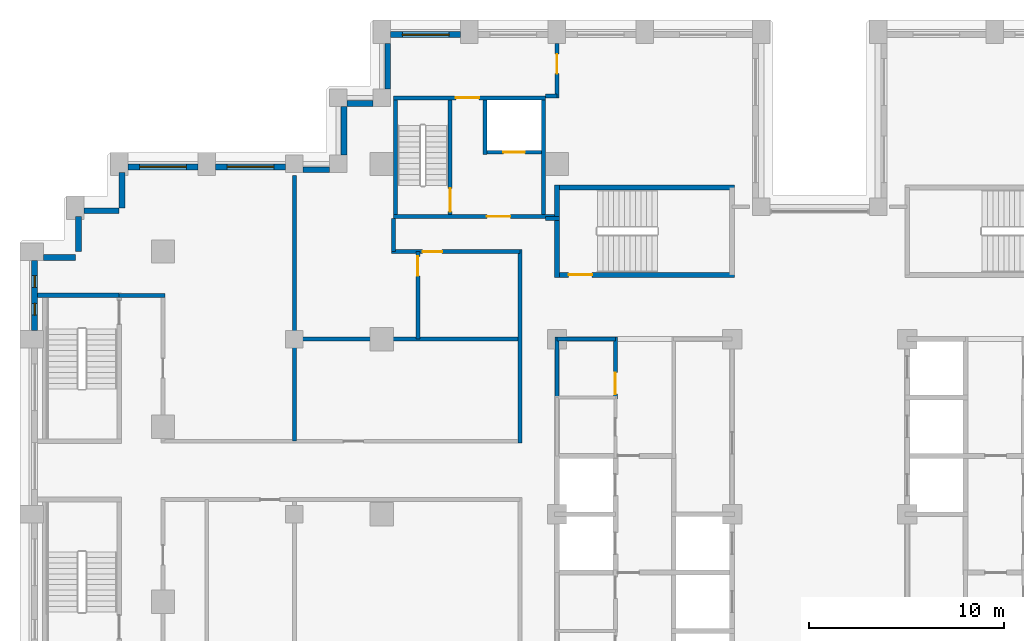
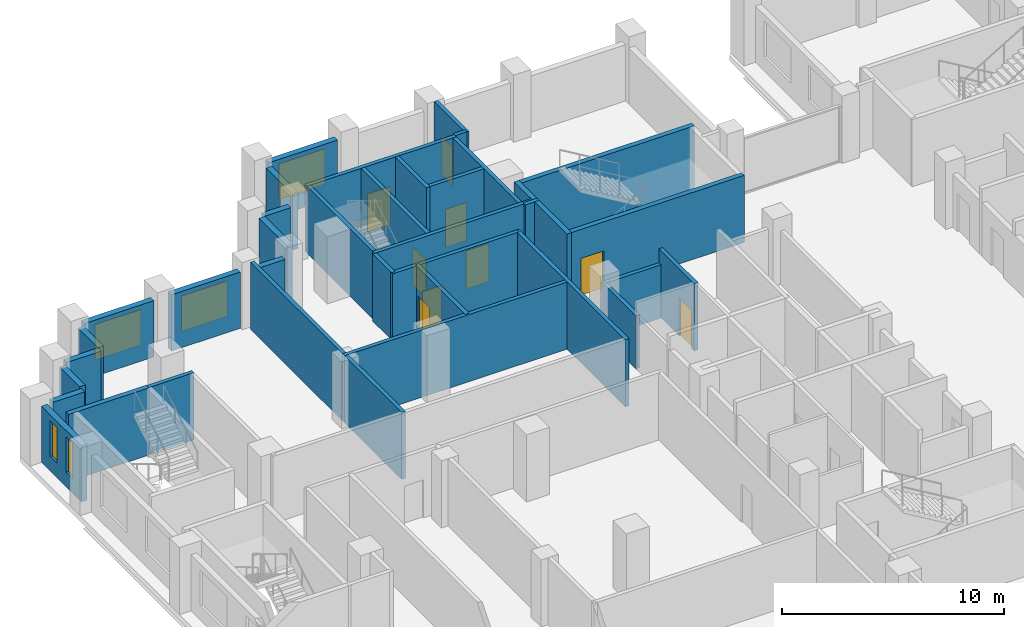
# One storey, part 9 of 15: 36 walls, 9 doors, 5 windows, 14 openings.
"""IFC4 building model written with IfcOpenShell, lengths in metres."""

from ifc_helpers import new_model, si_unit, direction, frame, frame_2d, origin, place, context, subcontext, project, spatial, rectangle, extrude, material, layer, layer_set, type_object, element, fill, save


model = new_model("IFC4")

# Units and contexts
model_context = context("Model", 3, precision=1e-05, world=origin(), true_north=direction((0.0, 1.0)))
body_context = subcontext(model_context, "Body", "Model", "MODEL_VIEW")
ifc_project = project(units=[si_unit("LENGTHUNIT", "METRE"), si_unit("AREAUNIT", "SQUARE_METRE"), si_unit("VOLUMEUNIT", "CUBIC_METRE"), si_unit("PLANEANGLEUNIT", "RADIAN"), si_unit("MASSUNIT", "GRAM", prefix="KILO")], contexts=[model_context])

# Site, building, storey
site_placement = place(None, origin())
site = spatial("IfcSite", under=ifc_project, at=site_placement, CompositionType="ELEMENT")
building_placement = place(site_placement, origin())
building = spatial("IfcBuilding", under=site, at=building_placement, Name="Corbelhall Arena Tower", CompositionType="ELEMENT")
storey_placement = place(building_placement, frame((0.0, 0.0, 84.0)))
storey = spatial("IfcBuildingStorey", under=building, at=storey_placement, Name="L13", CompositionType="ELEMENT", Elevation=84.0)

# Walls
ifc_material_1 = material(Name="Precast concrete C40/50 with granite facing", Category="masonry")
ifc_layer_1 = layer(ifc_material_1, 0.300048828125)
ifc_layer_set_1 = layer_set([ifc_layer_1], Name="EV-IW1 Infill panel 300")
wall_type_1 = type_object("IfcWallType", Name="EV-IW1 Infill panel 300", PredefinedType="SOLIDWALL", material=ifc_layer_set_1)
for number, where, z_axis, x_axis, name in (
    (1, (-35.85009765625, 17.550048828125, 0.0), (0.0, 0.0, 1.0), (0.0, -1.0, 0.0), "Infill panel IW1"),
    (2, (-37.800048828125, 15.60009765625, 0.0), (0.0, 0.0, 1.0), (1.0, 0.0, 0.0), "Infill panel IW1"),
    (3, (-38.10009765625, 15.300048828125, 0.0), (0.0, 0.0, 1.0), (0.0, -1.0, 0.0), "Infill panel IW1"),
):
    element("IfcWall", number, at=place(storey_placement, frame(where, z_axis=z_axis, x_axis=x_axis)), inside=storey, type_object=wall_type_1, Name=name, PredefinedType="SOLIDWALL", context=body_context, shape_type="SweptSolid", body=[
        extrude(rectangle(XDim=1.800048828125, YDim=0.300048828125, at=frame_2d((0.89990234375, 0.0))), origin(), (0.0, 0.0, 1.0), 3.10009765625),
    ])
wall_1_placement = place(storey_placement, frame((-39.89990234375, 13.199951171875, 0.0), z_axis=(0.0, 0.0, 1.0), x_axis=(1.0, 0.0, 0.0)))
element("IfcWall", 4, at=wall_1_placement, inside=storey, type_object=wall_type_1, Name="Infill panel IW1", PredefinedType="SOLIDWALL", context=body_context, shape_type="SweptSolid", body=[
    extrude(rectangle(XDim=1.64990234375, YDim=0.300048828125, at=frame_2d((0.824951171875, 0.0))), origin(), (0.0, 0.0, 1.0), 3.10009765625),
])
wall_2_placement = place(storey_placement, frame((-22.199951171875, 24.199951171875, 0.0), z_axis=(0.0, 0.0, 1.0), x_axis=(0.0, -1.0, 0.0)))
element("IfcWall", 5, at=wall_2_placement, inside=storey, type_object=wall_type_1, Name="Infill panel IW1", PredefinedType="SOLIDWALL", context=body_context, shape_type="SweptSolid", body=[
    extrude(rectangle(XDim=2.349853515625, YDim=0.300048828125, at=frame_2d((1.1748046875, 0.0))), origin(), (0.0, 0.0, 1.0), 3.10009765625),
])
wall_3_placement = place(storey_placement, frame((-22.949951171875, 21.10009765625, 0.0), z_axis=(0.0, 0.0, 1.0), x_axis=(-1.0, 0.0, 0.0)))
element("IfcWall", 6, at=wall_3_placement, inside=storey, type_object=wall_type_1, Name="Infill panel IW1", PredefinedType="SOLIDWALL", context=body_context, shape_type="SweptSolid", body=[
    extrude(rectangle(XDim=1.35009765625, YDim=0.300048828125, at=frame_2d((0.675048828125, 0.0))), origin(), (0.0, 0.0, 1.0), 3.10009765625),
])
wall_4_placement = place(storey_placement, frame((-24.449951171875, 20.949951171875, 0.0), z_axis=(0.0, 0.0, 1.0), x_axis=(0.0, -1.0, 0.0)))
element("IfcWall", 7, at=wall_4_placement, inside=storey, type_object=wall_type_1, Name="Infill panel IW1", PredefinedType="SOLIDWALL", context=body_context, shape_type="SweptSolid", body=[
    extrude(rectangle(XDim=2.5, YDim=0.300048828125, at=frame_2d((1.25, 0.0))), origin(), (0.0, 0.0, 1.0), 3.10009765625),
])
wall_5_placement = place(storey_placement, frame((-25.199951171875, 17.699951171875, 0.0), z_axis=(0.0, 0.0, 1.0), x_axis=(-1.0, 0.0, 0.0)))
element("IfcWall", 8, at=wall_5_placement, inside=storey, type_object=wall_type_1, Name="Infill panel IW1", PredefinedType="SOLIDWALL", context=body_context, shape_type="SweptSolid", body=[
    extrude(rectangle(XDim=1.35009765625, YDim=0.300048828125, at=frame_2d((0.675048828125, 0.0))), origin(), (0.0, 0.0, 1.0), 3.10009765625),
])

# Wall, opening, window
wall_6_placement = place(storey_placement, frame((-27.449951171875, 17.85009765625, 0.0), z_axis=(0.0, 0.0, 1.0), x_axis=(-1.0, 0.0, 0.0)))
wall_6 = element("IfcWall", 9, at=wall_6_placement, inside=storey, type_object=wall_type_1, Name="Infill panel IW1", PredefinedType="SOLIDWALL", context=body_context, shape_type="SweptSolid", body=[
    extrude(rectangle(XDim=3.60009765625, YDim=0.300048828125, at=frame_2d((1.800048828125, 0.0))), origin(), (0.0, 0.0, 1.0), 3.10009765625),
])
opening_1_placement = place(wall_6_placement, frame((0.60009765625, 0.0, 0.800048828125)))
opening_1 = element("IfcOpeningElement", 10, at=opening_1_placement, cuts=wall_6, Name="Opening WN1", PredefinedType="OPENING", context=body_context, shape_type="SweptSolid", body=[
    extrude(rectangle(XDim=2.39990234375, YDim=1.949951171875, at=frame_2d((1.199951171875, 0.97509765625))), frame((0.0, 0.14990234375, 0.0), z_axis=(0.0, -1.0, 0.0), x_axis=(1.0, 0.0, 0.0)), (0.0, 0.0, 1.0), 0.300048828125),
])
ifc_material_2 = material(Name="Aluminium black anodised", Category="aluminium")
window_type_1 = type_object("IfcWindowType", Name="EV-WN1 Office window", PartitioningType="SINGLE_PANEL", PredefinedType="WINDOW", material=ifc_material_2)
window_1_placement = place(opening_1_placement, origin())
window_1 = element("IfcWindow", 11, at=window_1_placement, inside=storey, type_object=window_type_1, Name="Window WN1", OverallHeight=1.949951171875, OverallWidth=2.39990234375, PartitioningType="SINGLE_PANEL", PredefinedType="WINDOW", context=body_context, shape_type="SweptSolid", body=[
    extrude(rectangle(XDim=2.39990234375, YDim=1.949951171875, at=frame_2d((1.199951171875, 0.97509765625))), frame((0.0, 0.030029296875, 0.0), z_axis=(0.0, -1.0, 0.0), x_axis=(1.0, 0.0, 0.0)), (0.0, 0.0, 1.0), 0.06005859375),
])
fill(opening_1, window_1)

wall_7_placement = place(storey_placement, frame((-31.949951171875, 17.85009765625, 0.0), z_axis=(0.0, 0.0, 1.0), x_axis=(-1.0, 0.0, 0.0)))
wall_7 = element("IfcWall", 12, at=wall_7_placement, inside=storey, type_object=wall_type_1, Name="Infill panel IW1", PredefinedType="SOLIDWALL", context=body_context, shape_type="SweptSolid", body=[
    extrude(rectangle(XDim=3.60009765625, YDim=0.300048828125, at=frame_2d((1.800048828125, 0.0))), origin(), (0.0, 0.0, 1.0), 3.10009765625),
])
opening_2_placement = place(wall_7_placement, frame((0.60009765625, 0.0, 0.800048828125)))
opening_2 = element("IfcOpeningElement", 13, at=opening_2_placement, cuts=wall_7, Name="Opening WN1", PredefinedType="OPENING", context=body_context, shape_type="SweptSolid", body=[
    extrude(rectangle(XDim=2.39990234375, YDim=1.949951171875, at=frame_2d((1.199951171875, 0.97509765625))), frame((0.0, 0.14990234375, 0.0), z_axis=(0.0, -1.0, 0.0), x_axis=(1.0, 0.0, 0.0)), (0.0, 0.0, 1.0), 0.300048828125),
])
window_2_placement = place(opening_2_placement, origin())
window_2 = element("IfcWindow", 14, at=window_2_placement, inside=storey, type_object=window_type_1, Name="Window WN1", OverallHeight=1.949951171875, OverallWidth=2.39990234375, PartitioningType="SINGLE_PANEL", PredefinedType="WINDOW", context=body_context, shape_type="SweptSolid", body=[
    extrude(rectangle(XDim=2.39990234375, YDim=1.949951171875, at=frame_2d((1.199951171875, 0.97509765625))), frame((0.0, 0.030029296875, 0.0), z_axis=(0.0, -1.0, 0.0), x_axis=(1.0, 0.0, 0.0)), (0.0, 0.0, 1.0), 0.06005859375),
])
fill(opening_2, window_2)

# Wall, openings, windows
wall_8_placement = place(storey_placement, frame((-40.35009765625, 13.050048828125, 0.0), z_axis=(0.0, 0.0, 1.0), x_axis=(0.0, -1.0, 0.0)))
wall_8 = element("IfcWall", 15, at=wall_8_placement, inside=storey, type_object=wall_type_1, Name="Infill panel IW1", PredefinedType="SOLIDWALL", context=body_context, shape_type="SweptSolid", body=[
    extrude(rectangle(XDim=3.60009765625, YDim=0.300048828125, at=frame_2d((1.800048828125, 0.0))), origin(), (0.0, 0.0, 1.0), 3.10009765625),
])
opening_3_placement = place(wall_8_placement, frame((0.78759765625, 0.0, 0.800048828125)))
opening_3 = element("IfcOpeningElement", 16, at=opening_3_placement, cuts=wall_8, Name="Opening WN5", PredefinedType="OPENING", context=body_context, shape_type="SweptSolid", body=[
    extrude(rectangle(XDim=0.60009765625, YDim=1.949951171875, at=frame_2d((0.300048828125, 0.97509765625))), frame((0.0, 0.14990234375, 0.0), z_axis=(0.0, -1.0, 0.0), x_axis=(1.0, 0.0, 0.0)), (0.0, 0.0, 1.0), 0.300048828125),
])
opening_4_placement = place(wall_8_placement, frame((2.21240234375, 0.0, 0.800048828125)))
opening_4 = element("IfcOpeningElement", 17, at=opening_4_placement, cuts=wall_8, Name="Opening WN5", PredefinedType="OPENING", context=body_context, shape_type="SweptSolid", body=[
    extrude(rectangle(XDim=0.60009765625, YDim=1.949951171875, at=frame_2d((0.300048828125, 0.97509765625))), frame((0.0, 0.14990234375, 0.0), z_axis=(0.0, -1.0, 0.0), x_axis=(1.0, 0.0, 0.0)), (0.0, 0.0, 1.0), 0.300048828125),
])
window_type_2 = type_object("IfcWindowType", Name="EV-WN5 Office window 600", PartitioningType="SINGLE_PANEL", PredefinedType="WINDOW", material=ifc_material_2)
window_3_placement = place(opening_3_placement, origin())
window_3 = element("IfcWindow", 18, at=window_3_placement, inside=storey, type_object=window_type_2, Name="Window WN5", OverallHeight=1.949951171875, OverallWidth=0.60009765625, PartitioningType="SINGLE_PANEL", PredefinedType="WINDOW", context=body_context, shape_type="SweptSolid", body=[
    extrude(rectangle(XDim=0.60009765625, YDim=1.949951171875, at=frame_2d((0.300048828125, 0.97509765625))), frame((0.0, 0.030029296875, 0.0), z_axis=(0.0, -1.0, 0.0), x_axis=(1.0, 0.0, 0.0)), (0.0, 0.0, 1.0), 0.06005859375),
])
fill(opening_3, window_3)
window_4_placement = place(opening_4_placement, origin())
window_4 = element("IfcWindow", 19, at=window_4_placement, inside=storey, type_object=window_type_2, Name="Window WN5", OverallHeight=1.949951171875, OverallWidth=0.60009765625, PartitioningType="SINGLE_PANEL", PredefinedType="WINDOW", context=body_context, shape_type="SweptSolid", body=[
    extrude(rectangle(XDim=0.60009765625, YDim=1.949951171875, at=frame_2d((0.300048828125, 0.97509765625))), frame((0.0, 0.030029296875, 0.0), z_axis=(0.0, -1.0, 0.0), x_axis=(1.0, 0.0, 0.0)), (0.0, 0.0, 1.0), 0.06005859375),
])
fill(opening_4, window_4)

# Wall, opening, window
wall_9_placement = place(storey_placement, frame((-18.449951171875, 24.64990234375, 0.0), z_axis=(0.0, 0.0, 1.0), x_axis=(-1.0, 0.0, 0.0)))
wall_9 = element("IfcWall", 20, at=wall_9_placement, inside=storey, type_object=wall_type_1, Name="Infill panel IW1", PredefinedType="SOLIDWALL", context=body_context, shape_type="SweptSolid", body=[
    extrude(rectangle(XDim=3.60009765625, YDim=0.300048828125, at=frame_2d((1.800048828125, 0.0))), origin(), (0.0, 0.0, 1.0), 3.10009765625),
])
opening_5_placement = place(wall_9_placement, frame((0.60009765625, 0.0, 0.800048828125)))
opening_5 = element("IfcOpeningElement", 21, at=opening_5_placement, cuts=wall_9, Name="Opening WN1", PredefinedType="OPENING", context=body_context, shape_type="SweptSolid", body=[
    extrude(rectangle(XDim=2.39990234375, YDim=1.949951171875, at=frame_2d((1.199951171875, 0.97509765625))), frame((0.0, 0.14990234375, 0.0), z_axis=(0.0, -1.0, 0.0), x_axis=(1.0, 0.0, 0.0)), (0.0, 0.0, 1.0), 0.300048828125),
])
window_5_placement = place(opening_5_placement, origin())
window_5 = element("IfcWindow", 22, at=window_5_placement, inside=storey, type_object=window_type_1, Name="Window WN1", OverallHeight=1.949951171875, OverallWidth=2.39990234375, PartitioningType="SINGLE_PANEL", PredefinedType="WINDOW", context=body_context, shape_type="SweptSolid", body=[
    extrude(rectangle(XDim=2.39990234375, YDim=1.949951171875, at=frame_2d((1.199951171875, 0.97509765625))), frame((0.0, 0.030029296875, 0.0), z_axis=(0.0, -1.0, 0.0), x_axis=(1.0, 0.0, 0.0)), (0.0, 0.0, 1.0), 0.06005859375),
])
fill(opening_5, window_5)

# Walls
ifc_material_3 = material(Name="Gypsum board on steel stud, acoustic", Category="steel")
ifc_layer_2 = layer(ifc_material_3, 0.199951171875)
ifc_layer_set_2 = layer_set([ifc_layer_2], Name="IN-W-DM200")
wall_type_2 = type_object("IfcWallType", Name="IN-W-DM200", PredefinedType="PARTITIONING", material=ifc_layer_set_2)
wall_10_placement = place(storey_placement, frame((-36.0, 11.25, 0.0), z_axis=(0.0, 0.0, 1.0), x_axis=(1.0, 0.0, 0.0)))
element("IfcWall", 23, at=wall_10_placement, inside=storey, type_object=wall_type_2, Name="Partition 001", PredefinedType="PARTITIONING", context=body_context, shape_type="SweptSolid", body=[
    extrude(rectangle(XDim=2.35009765625, YDim=0.199951171875, at=frame_2d((1.175048828125, 0.0))), origin(), (0.0, 0.0, 1.0), 3.699951171875),
])
wall_11_placement = place(storey_placement, frame((-27.10009765625, 9.0, 0.0), z_axis=(0.0, 0.0, 1.0), x_axis=(1.0, 0.0, 0.0)))
element("IfcWall", 24, at=wall_11_placement, inside=storey, type_object=wall_type_2, Name="Partition 009", PredefinedType="PARTITIONING", context=body_context, shape_type="SweptSolid", body=[
    extrude(rectangle(XDim=11.7001953125, YDim=0.199951171875, at=frame_2d((5.85009765625, 0.0))), origin(), (0.0, 0.0, 1.0), 3.699951171875),
])
wall_12_placement = place(storey_placement, frame((-27.0, 3.75, 0.0), z_axis=(0.0, 0.0, 1.0), x_axis=(0.0, 1.0, 0.0)))
element("IfcWall", 25, at=wall_12_placement, inside=storey, type_object=wall_type_2, Name="Partition 011", PredefinedType="PARTITIONING", context=body_context, shape_type="SweptSolid", body=[
    extrude(rectangle(XDim=13.64990234375, YDim=0.199951171875, at=frame_2d((6.824951171875, 0.0))), origin(), (0.0, 0.0, 1.0), 3.699951171875),
])
wall_13_placement = place(storey_placement, frame((-21.89990234375, 13.5, 0.0), z_axis=(0.0, 0.0, 1.0), x_axis=(0.0, 1.0, 0.0)))
element("IfcWall", 26, at=wall_13_placement, inside=storey, type_object=wall_type_2, Name="Partition 013", PredefinedType="PARTITIONING", context=body_context, shape_type="SweptSolid", body=[
    extrude(rectangle(XDim=1.699951171875, YDim=0.199951171875, at=frame_2d((0.85009765625, 0.0))), origin(), (0.0, 0.0, 1.0), 3.699951171875),
])

# Wall, opening, door
wall_14_placement = place(storey_placement, frame((-20.64990234375, 9.0, 0.0), z_axis=(0.0, 0.0, 1.0), x_axis=(0.0, 1.0, 0.0)))
wall_14 = element("IfcWall", 27, at=wall_14_placement, inside=storey, type_object=wall_type_2, Name="Partition 014", PredefinedType="PARTITIONING", context=body_context, shape_type="SweptSolid", body=[
    extrude(rectangle(XDim=4.5, YDim=0.199951171875, at=frame_2d((2.25, 0.0))), origin(), (0.0, 0.0, 1.0), 3.699951171875),
])
opening_6_placement = place(wall_14_placement, frame((3.25, 0.0, 0.0)))
opening_6 = element("IfcOpeningElement", 28, at=opening_6_placement, cuts=wall_14, Name="Opening 02028", PredefinedType="OPENING", context=body_context, shape_type="SweptSolid", body=[
    extrude(rectangle(XDim=1.0, YDim=2.10009765625, at=frame_2d((0.5, 1.050048828125))), frame((0.0, 0.10009765625, 0.0), z_axis=(0.0, -1.0, 0.0), x_axis=(1.0, 0.0, 0.0)), (0.0, 0.0, 1.0), 0.199951171875),
])
ifc_material_4 = material(Name="Steel door set", Category="steel")
door_type_1 = type_object("IfcDoorType", Name="IN-D-SW100", OperationType="NOTDEFINED", PredefinedType="DOOR", material=ifc_material_4)
door_1_placement = place(opening_6_placement, origin())
door_1 = element("IfcDoor", 29, at=door_1_placement, inside=storey, type_object=door_type_1, Name="Door 028", OperationType="SINGLE_SWING_LEFT", OverallHeight=2.10009765625, OverallWidth=1.0, PredefinedType="DOOR", context=body_context, shape_type="SweptSolid", body=[
    extrude(rectangle(XDim=1.0, YDim=2.10009765625, at=frame_2d((0.5, 1.050048828125))), frame((0.0, 0.02490234375, 0.0), z_axis=(0.0, -1.0, 0.0), x_axis=(1.0, 0.0, 0.0)), (0.0, 0.0, 1.0), 0.050048828125),
])
fill(opening_6, door_1)

wall_15_placement = place(storey_placement, frame((-15.39990234375, 13.5, 0.0), z_axis=(0.0, 0.0, 1.0), x_axis=(-1.0, 0.0, 0.0)))
wall_15 = element("IfcWall", 30, at=wall_15_placement, inside=storey, type_object=wall_type_2, Name="Partition 015", PredefinedType="PARTITIONING", context=body_context, shape_type="SweptSolid", body=[
    extrude(rectangle(XDim=6.60009765625, YDim=0.199951171875, at=frame_2d((3.300048828125, 0.0))), origin(), (0.0, 0.0, 1.0), 3.699951171875),
])
opening_7_placement = place(wall_15_placement, frame((4.0, 0.0, 0.0)))
opening_7 = element("IfcOpeningElement", 31, at=opening_7_placement, cuts=wall_15, Name="Opening 02027", PredefinedType="OPENING", context=body_context, shape_type="SweptSolid", body=[
    extrude(rectangle(XDim=1.0, YDim=2.10009765625, at=frame_2d((0.5, 1.050048828125))), frame((0.0, 0.10009765625, 0.0), z_axis=(0.0, -1.0, 0.0), x_axis=(1.0, 0.0, 0.0)), (0.0, 0.0, 1.0), 0.199951171875),
])
door_2_placement = place(opening_7_placement, origin())
door_2 = element("IfcDoor", 32, at=door_2_placement, inside=storey, type_object=door_type_1, Name="Door 027", OperationType="SINGLE_SWING_RIGHT", OverallHeight=2.10009765625, OverallWidth=1.0, PredefinedType="DOOR", context=body_context, shape_type="SweptSolid", body=[
    extrude(rectangle(XDim=1.0, YDim=2.10009765625, at=frame_2d((0.5, 1.050048828125))), frame((0.0, 0.02490234375, 0.0), z_axis=(0.0, -1.0, 0.0), x_axis=(1.0, 0.0, 0.0)), (0.0, 0.0, 1.0), 0.050048828125),
])
fill(opening_7, door_2)

# Walls
wall_16_placement = place(storey_placement, frame((-15.39990234375, 3.64990234375, 0.0), z_axis=(0.0, 0.0, 1.0), x_axis=(0.0, 1.0, 0.0)))
element("IfcWall", 33, at=wall_16_placement, inside=storey, type_object=wall_type_2, Name="Partition 017", PredefinedType="PARTITIONING", context=body_context, shape_type="SweptSolid", body=[
    extrude(rectangle(XDim=9.9501953125, YDim=0.199951171875, at=frame_2d((4.97509765625, 0.0))), origin(), (0.0, 0.0, 1.0), 3.699951171875),
])
wall_17_placement = place(storey_placement, frame((-14.10009765625, 15.199951171875, 0.0), z_axis=(0.0, 0.0, 1.0), x_axis=(1.0, 0.0, 0.0)))
element("IfcWall", 34, at=wall_17_placement, inside=storey, type_object=wall_type_2, Name="Partition 018", PredefinedType="PARTITIONING", context=body_context, shape_type="SweptSolid", body=[
    extrude(rectangle(XDim=0.72509765625, YDim=0.199951171875, at=frame_2d((0.362548828125, 0.0))), origin(), (0.0, 0.0, 1.0), 3.699951171875),
])
wall_18_placement = place(storey_placement, frame((-13.5, 21.5, 0.0), z_axis=(0.0, 0.0, 1.0), x_axis=(-1.0, 0.0, 0.0)))
element("IfcWall", 35, at=wall_18_placement, inside=storey, type_object=wall_type_2, Name="Partition 020", PredefinedType="PARTITIONING", context=body_context, shape_type="SweptSolid", body=[
    extrude(rectangle(XDim=0.60009765625, YDim=0.199951171875, at=frame_2d((0.300048828125, 0.0))), origin(), (0.0, 0.0, 1.0), 3.699951171875),
])

# Wall, opening, door
wall_19_placement = place(storey_placement, frame((-13.5, 24.199951171875, 0.0), z_axis=(0.0, 0.0, 1.0), x_axis=(0.0, -1.0, 0.0)))
wall_19 = element("IfcWall", 36, at=wall_19_placement, inside=storey, type_object=wall_type_2, Name="Partition 021", PredefinedType="PARTITIONING", context=body_context, shape_type="SweptSolid", body=[
    extrude(rectangle(XDim=2.800048828125, YDim=0.199951171875, at=frame_2d((1.39990234375, 0.0))), origin(), (0.0, 0.0, 1.0), 3.699951171875),
])
opening_8_placement = place(wall_19_placement, frame((0.550048828125, 0.0, 0.0)))
opening_8 = element("IfcOpeningElement", 37, at=opening_8_placement, cuts=wall_19, Name="Opening 02022", PredefinedType="OPENING", context=body_context, shape_type="SweptSolid", body=[
    extrude(rectangle(XDim=1.0, YDim=2.10009765625, at=frame_2d((0.5, 1.050048828125))), frame((0.0, 0.10009765625, 0.0), z_axis=(0.0, -1.0, 0.0), x_axis=(1.0, 0.0, 0.0)), (0.0, 0.0, 1.0), 0.199951171875),
])
door_3_placement = place(opening_8_placement, origin())
door_3 = element("IfcDoor", 38, at=door_3_placement, inside=storey, type_object=door_type_1, Name="Door 022", OperationType="SINGLE_SWING_LEFT", OverallHeight=2.10009765625, OverallWidth=1.0, PredefinedType="DOOR", context=body_context, shape_type="SweptSolid", body=[
    extrude(rectangle(XDim=1.0, YDim=2.10009765625, at=frame_2d((0.5, 1.050048828125))), frame((0.0, 0.02490234375, 0.0), z_axis=(0.0, -1.0, 0.0), x_axis=(1.0, 0.0, 0.0)), (0.0, 0.0, 1.0), 0.050048828125),
])
fill(opening_8, door_3)

ifc_material_5 = material(Name="Concrete C40/50", Category="concrete")
ifc_layer_3 = layer(ifc_material_5, 0.199951171875)
ifc_layer_set_3 = layer_set([ifc_layer_3], Name="IN-W-EAR200")
wall_type_3 = type_object("IfcWallType", Name="IN-W-EAR200", PredefinedType="SOLIDWALL", material=ifc_layer_set_3)
wall_20_placement = place(storey_placement, frame((-21.89990234375, 15.300048828125, 0.0), z_axis=(0.0, 0.0, 1.0), x_axis=(1.0, 0.0, 0.0)))
wall_20 = element("IfcWall", 39, at=wall_20_placement, inside=storey, type_object=wall_type_3, Name="Fire service turret wall south", PredefinedType="SOLIDWALL", context=body_context, shape_type="SweptSolid", body=[
    extrude(rectangle(XDim=8.27490234375, YDim=0.199951171875, at=frame_2d((4.137451171875, 0.0))), origin(), (0.0, 0.0, 1.0), 3.699951171875),
])
opening_9_placement = place(wall_20_placement, frame((4.800048828125, 0.0, 0.0)))
opening_9 = element("IfcOpeningElement", 40, at=opening_9_placement, cuts=wall_20, Name="Opening E022", PredefinedType="OPENING", context=body_context, shape_type="SweptSolid", body=[
    extrude(rectangle(XDim=1.199951171875, YDim=2.10009765625, at=frame_2d((0.60009765625, 1.050048828125))), frame((0.0, 0.10009765625, 0.0), z_axis=(0.0, -1.0, 0.0), x_axis=(1.0, 0.0, 0.0)), (0.0, 0.0, 1.0), 0.199951171875),
])
door_type_2 = type_object("IfcDoorType", Name="IN-D-ST120", OperationType="NOTDEFINED", PredefinedType="DOOR", material=ifc_material_4)
door_4_placement = place(opening_9_placement, origin())
door_4 = element("IfcDoor", 41, at=door_4_placement, inside=storey, type_object=door_type_2, Name="Door from fire service lift lobby to circulation", OperationType="SINGLE_SWING_RIGHT", OverallHeight=2.10009765625, OverallWidth=1.199951171875, PredefinedType="DOOR", context=body_context, shape_type="SweptSolid", body=[
    extrude(rectangle(XDim=1.199951171875, YDim=2.10009765625, at=frame_2d((0.60009765625, 1.050048828125))), frame((0.0, 0.02490234375, 0.0), z_axis=(0.0, -1.0, 0.0), x_axis=(1.0, 0.0, 0.0)), (0.0, 0.0, 1.0), 0.050048828125),
])
fill(opening_9, door_4)

wall_21_placement = place(storey_placement, frame((-21.89990234375, 21.39990234375, 0.0), z_axis=(0.0, 0.0, 1.0), x_axis=(1.0, 0.0, 0.0)))
wall_21 = element("IfcWall", 42, at=wall_21_placement, inside=storey, type_object=wall_type_3, Name="Fire service turret wall north", PredefinedType="SOLIDWALL", context=body_context, shape_type="SweptSolid", body=[
    extrude(rectangle(XDim=7.7998046875, YDim=0.199951171875, at=frame_2d((3.89990234375, 0.0))), origin(), (0.0, 0.0, 1.0), 3.699951171875),
])
opening_10_placement = place(wall_21_placement, frame((3.199951171875, 0.0, 0.0)))
opening_10 = element("IfcOpeningElement", 43, at=opening_10_placement, cuts=wall_21, Name="Opening E023", PredefinedType="OPENING", context=body_context, shape_type="SweptSolid", body=[
    extrude(rectangle(XDim=1.199951171875, YDim=2.10009765625, at=frame_2d((0.60009765625, 1.050048828125))), frame((0.0, 0.10009765625, 0.0), z_axis=(0.0, -1.0, 0.0), x_axis=(1.0, 0.0, 0.0)), (0.0, 0.0, 1.0), 0.199951171875),
])
door_5_placement = place(opening_10_placement, origin())
door_5 = element("IfcDoor", 44, at=door_5_placement, inside=storey, type_object=door_type_2, Name="Door from fire service lift lobby to the north gallery", OperationType="SINGLE_SWING_LEFT", OverallHeight=2.10009765625, OverallWidth=1.199951171875, PredefinedType="DOOR", context=body_context, shape_type="SweptSolid", body=[
    extrude(rectangle(XDim=1.199951171875, YDim=2.10009765625, at=frame_2d((0.60009765625, 1.050048828125))), frame((0.0, 0.02490234375, 0.0), z_axis=(0.0, -1.0, 0.0), x_axis=(1.0, 0.0, 0.0)), (0.0, 0.0, 1.0), 0.050048828125),
])
fill(opening_10, door_5)

# Walls
for number, where, z_axis, x_axis, name in (
    (45, (-21.800048828125, 15.39990234375, 0.0), (0.0, 0.0, 1.0), (0.0, 1.0, 0.0), "Fire service turret wall west"),
    (46, (-14.199951171875, 15.39990234375, 0.0), (0.0, 0.0, 1.0), (0.0, 1.0, 0.0), "Fire service turret wall east"),
):
    element("IfcWall", number, at=place(storey_placement, frame(where, z_axis=z_axis, x_axis=x_axis)), inside=storey, type_object=wall_type_3, Name=name, PredefinedType="SOLIDWALL", context=body_context, shape_type="SweptSolid", body=[
        extrude(rectangle(XDim=5.900146484375, YDim=0.199951171875, at=frame_2d((2.9501953125, 0.0))), origin(), (0.0, 0.0, 1.0), 3.699951171875),
    ])

# Wall, opening, door
wall_22_placement = place(storey_placement, frame((-18.989990234375, 15.39990234375, 0.0), z_axis=(0.0, 0.0, 1.0), x_axis=(0.0, 1.0, 0.0)))
wall_22 = element("IfcWall", 47, at=wall_22_placement, inside=storey, type_object=wall_type_3, Name="Fire service turret wall stair", PredefinedType="SOLIDWALL", context=body_context, shape_type="SweptSolid", body=[
    extrude(rectangle(XDim=5.900146484375, YDim=0.199951171875, at=frame_2d((2.9501953125, 0.0))), origin(), (0.0, 0.0, 1.0), 3.699951171875),
])
opening_11_placement = place(wall_22_placement, frame((0.14990234375, 0.0, 0.0)))
opening_11 = element("IfcOpeningElement", 48, at=opening_11_placement, cuts=wall_22, Name="Opening E021", PredefinedType="OPENING", context=body_context, shape_type="SweptSolid", body=[
    extrude(rectangle(XDim=1.199951171875, YDim=2.10009765625, at=frame_2d((0.60009765625, 1.050048828125))), frame((0.0, 0.10009765625, 0.0), z_axis=(0.0, -1.0, 0.0), x_axis=(1.0, 0.0, 0.0)), (0.0, 0.0, 1.0), 0.199951171875),
])
door_6_placement = place(opening_11_placement, origin())
door_6 = element("IfcDoor", 49, at=door_6_placement, inside=storey, type_object=door_type_2, Name="Stair door to fire service lobby", OperationType="SINGLE_SWING_LEFT", OverallHeight=2.10009765625, OverallWidth=1.199951171875, PredefinedType="DOOR", context=body_context, shape_type="SweptSolid", body=[
    extrude(rectangle(XDim=1.199951171875, YDim=2.10009765625, at=frame_2d((0.60009765625, 1.050048828125))), frame((0.0, 0.02490234375, 0.0), z_axis=(0.0, -1.0, 0.0), x_axis=(1.0, 0.0, 0.0)), (0.0, 0.0, 1.0), 0.050048828125),
])
fill(opening_11, door_6)

# Wall
wall_23_placement = place(storey_placement, frame((-17.199951171875, 18.5, 0.0), z_axis=(0.0, 0.0, 1.0), x_axis=(0.0, 1.0, 0.0)))
element("IfcWall", 50, at=wall_23_placement, inside=storey, type_object=wall_type_3, Name="Fire service turret wall hoistway west", PredefinedType="SOLIDWALL", context=body_context, shape_type="SweptSolid", body=[
    extrude(rectangle(XDim=2.800048828125, YDim=0.199951171875, at=frame_2d((1.39990234375, 0.0))), origin(), (0.0, 0.0, 1.0), 3.699951171875),
])

# Wall, opening, door
wall_24_placement = place(storey_placement, frame((-17.10009765625, 18.60009765625, 0.0), z_axis=(0.0, 0.0, 1.0), x_axis=(1.0, 0.0, 0.0)))
wall_24 = element("IfcWall", 51, at=wall_24_placement, inside=storey, type_object=wall_type_3, Name="Fire service turret wall hoistway south", PredefinedType="SOLIDWALL", context=body_context, shape_type="SweptSolid", body=[
    extrude(rectangle(XDim=2.800048828125, YDim=0.199951171875, at=frame_2d((1.39990234375, 0.0))), origin(), (0.0, 0.0, 1.0), 3.699951171875),
])
opening_12_placement = place(wall_24_placement, frame((0.85009765625, 0.0, 0.0)))
opening_12 = element("IfcOpeningElement", 52, at=opening_12_placement, cuts=wall_24, Name="Opening LD", PredefinedType="OPENING", context=body_context, shape_type="SweptSolid", body=[
    extrude(rectangle(XDim=1.10009765625, YDim=2.10009765625, at=frame_2d((0.550048828125, 1.050048828125))), frame((0.0, 0.10009765625, 0.0), z_axis=(0.0, -1.0, 0.0), x_axis=(1.0, 0.0, 0.0)), (0.0, 0.0, 1.0), 0.199951171875),
])
door_type_3 = type_object("IfcDoorType", Name="IN-D-LD110", OperationType="NOTDEFINED", PredefinedType="DOOR", material=ifc_material_4)
door_7_placement = place(opening_12_placement, origin())
door_7 = element("IfcDoor", 53, at=door_7_placement, inside=storey, type_object=door_type_3, Name="Landing door FS1", OperationType="SLIDING_TO_LEFT", OverallHeight=2.10009765625, OverallWidth=1.10009765625, PredefinedType="DOOR", context=body_context, shape_type="SweptSolid", body=[
    extrude(rectangle(XDim=1.10009765625, YDim=2.10009765625, at=frame_2d((0.550048828125, 1.050048828125))), frame((0.0, 0.02490234375, 0.0), z_axis=(0.0, -1.0, 0.0), x_axis=(1.0, 0.0, 0.0)), (0.0, 0.0, 1.0), 0.050048828125),
])
fill(opening_12, door_7)

ifc_material_6 = material(Name="Concrete block wall", Category="concrete")
ifc_layer_4 = layer(ifc_material_6, 0.199951171875)
ifc_layer_set_4 = layer_set([ifc_layer_4], Name="IN-W-RS200")
wall_type_4 = type_object("IfcWallType", Name="IN-W-RS200", PredefinedType="SOLIDWALL", material=ifc_layer_set_4)
wall_25_placement = place(storey_placement, frame((-10.5, 5.925048828125, 0.0), z_axis=(0.0, 0.0, 1.0), x_axis=(0.0, 1.0, 0.0)))
wall_25 = element("IfcWall", 54, at=wall_25_placement, inside=storey, type_object=wall_type_4, Name="Partition 046", PredefinedType="SOLIDWALL", context=body_context, shape_type="SweptSolid", body=[
    extrude(rectangle(XDim=3.175048828125, YDim=0.199951171875, at=frame_2d((1.58740234375, 0.0))), origin(), (0.0, 0.0, 1.0), 3.699951171875),
])
opening_13_placement = place(wall_25_placement, frame((0.25, 0.0, 0.0)))
opening_13 = element("IfcOpeningElement", 55, at=opening_13_placement, cuts=wall_25, Name="Opening 02007", PredefinedType="OPENING", context=body_context, shape_type="SweptSolid", body=[
    extrude(rectangle(XDim=1.10009765625, YDim=2.10009765625, at=frame_2d((0.550048828125, 1.050048828125))), frame((0.0, 0.10009765625, 0.0), z_axis=(0.0, -1.0, 0.0), x_axis=(1.0, 0.0, 0.0)), (0.0, 0.0, 1.0), 0.199951171875),
])
door_type_4 = type_object("IfcDoorType", Name="IN-D-FD110", OperationType="NOTDEFINED", PredefinedType="DOOR", material=ifc_material_4)
door_8_placement = place(opening_13_placement, origin())
door_8 = element("IfcDoor", 56, at=door_8_placement, inside=storey, type_object=door_type_4, Name="Door 007", OperationType="SINGLE_SWING_RIGHT", OverallHeight=2.10009765625, OverallWidth=1.10009765625, PredefinedType="DOOR", context=body_context, shape_type="SweptSolid", body=[
    extrude(rectangle(XDim=1.10009765625, YDim=2.10009765625, at=frame_2d((0.550048828125, 1.050048828125))), frame((0.0, 0.02490234375, 0.0), z_axis=(0.0, -1.0, 0.0), x_axis=(1.0, 0.0, 0.0)), (0.0, 0.0, 1.0), 0.050048828125),
])
fill(opening_13, door_8)

# Walls
ifc_layer_5 = layer(ifc_material_6, 0.199951171875)
ifc_layer_set_5 = layer_set([ifc_layer_5], Name="IN-W-RS200 under beam 762 mm")
wall_type_5 = type_object("IfcWallType", Name="IN-W-RS200 under beam 762 mm", PredefinedType="SOLIDWALL", material=ifc_layer_set_5)
wall_26_placement = place(storey_placement, frame((-13.5, 6.0, 0.0), z_axis=(0.0, 0.0, 1.0), x_axis=(0.0, 1.0, 0.0)))
element("IfcWall", 57, at=wall_26_placement, inside=storey, type_object=wall_type_5, Name="Partition 043", PredefinedType="SOLIDWALL", context=body_context, shape_type="SweptSolid", body=[
    extrude(rectangle(XDim=3.10009765625, YDim=0.199951171875, at=frame_2d((1.550048828125, 0.0))), origin(), (0.0, 0.0, 1.0), 2.93798828125),
])
wall_27_placement = place(storey_placement, frame((-13.5, 9.0, 0.0), z_axis=(0.0, 0.0, 1.0), x_axis=(1.0, 0.0, 0.0)))
element("IfcWall", 58, at=wall_27_placement, inside=storey, type_object=wall_type_5, Name="Partition 044", PredefinedType="SOLIDWALL", context=body_context, shape_type="SweptSolid", body=[
    extrude(rectangle(XDim=3.0, YDim=0.199951171875, at=frame_2d((1.5, 0.0))), origin(), (0.0, 0.0, 1.0), 2.93798828125),
])
ifc_layer_6 = layer(ifc_material_5, 0.25)
ifc_layer_set_6 = layer_set([ifc_layer_6], Name="IN-W-ST250")
wall_type_6 = type_object("IfcWallType", Name="IN-W-ST250", PredefinedType="SOLIDWALL", material=ifc_layer_set_6)
wall_28_placement = place(storey_placement, frame((-40.199951171875, 11.25, 0.0), z_axis=(0.0, 0.0, 1.0), x_axis=(1.0, 0.0, 0.0)))
element("IfcWall", 59, at=wall_28_placement, inside=storey, type_object=wall_type_6, Name="Shaft wall 080", PredefinedType="SOLIDWALL", context=body_context, shape_type="SweptSolid", body=[
    extrude(rectangle(XDim=4.199951171875, YDim=0.25, at=frame_2d((2.10009765625, 0.0))), origin(), (0.0, 0.0, 1.0), 3.699951171875),
])

# Wall, opening, door
wall_29_placement = place(storey_placement, frame((-13.5, 12.300048828125, 0.0), z_axis=(0.0, 0.0, 1.0), x_axis=(1.0, 0.0, 0.0)))
wall_29 = element("IfcWall", 60, at=wall_29_placement, inside=storey, type_object=wall_type_6, Name="Shaft wall 086", PredefinedType="SOLIDWALL", context=body_context, shape_type="SweptSolid", body=[
    extrude(rectangle(XDim=9.125, YDim=0.25, at=frame_2d((4.5625, 0.0))), origin(), (0.0, 0.0, 1.0), 3.699951171875),
])
opening_14_placement = place(wall_29_placement, frame((0.60009765625, 0.0, 0.0)))
opening_14 = element("IfcOpeningElement", 61, at=opening_14_placement, cuts=wall_29, Name="Opening 02014", PredefinedType="OPENING", context=body_context, shape_type="SweptSolid", body=[
    extrude(rectangle(XDim=1.199951171875, YDim=2.10009765625, at=frame_2d((0.60009765625, 1.050048828125))), frame((0.0, 0.125, 0.0), z_axis=(0.0, -1.0, 0.0), x_axis=(1.0, 0.0, 0.0)), (0.0, 0.0, 1.0), 0.25),
])
door_9_placement = place(opening_14_placement, origin())
door_9 = element("IfcDoor", 62, at=door_9_placement, inside=storey, type_object=door_type_2, Name="Door 014", OperationType="SINGLE_SWING_LEFT", OverallHeight=2.10009765625, OverallWidth=1.199951171875, PredefinedType="DOOR", context=body_context, shape_type="SweptSolid", body=[
    extrude(rectangle(XDim=1.199951171875, YDim=2.10009765625, at=frame_2d((0.60009765625, 1.050048828125))), frame((0.0, 0.02490234375, 0.0), z_axis=(0.0, -1.0, 0.0), x_axis=(1.0, 0.0, 0.0)), (0.0, 0.0, 1.0), 0.050048828125),
])
fill(opening_14, door_9)

# Walls
wall_30_placement = place(storey_placement, frame((-13.5, 12.175048828125, 0.0), z_axis=(0.0, 0.0, 1.0), x_axis=(0.0, 1.0, 0.0)))
element("IfcWall", 63, at=wall_30_placement, inside=storey, type_object=wall_type_6, Name="Shaft wall 087", PredefinedType="SOLIDWALL", context=body_context, shape_type="SweptSolid", body=[
    extrude(rectangle(XDim=4.75, YDim=0.25, at=frame_2d((2.375, 0.0))), origin(), (0.0, 0.0, 1.0), 3.699951171875),
])
wall_31_placement = place(storey_placement, frame((-13.5, 16.800048828125, 0.0), z_axis=(0.0, 0.0, 1.0), x_axis=(1.0, 0.0, 0.0)))
element("IfcWall", 64, at=wall_31_placement, inside=storey, type_object=wall_type_6, Name="Shaft wall 088", PredefinedType="SOLIDWALL", context=body_context, shape_type="SweptSolid", body=[
    extrude(rectangle(XDim=9.125, YDim=0.25, at=frame_2d((4.5625, 0.0))), origin(), (0.0, 0.0, 1.0), 3.699951171875),
])

save(model, "model.ifc")
